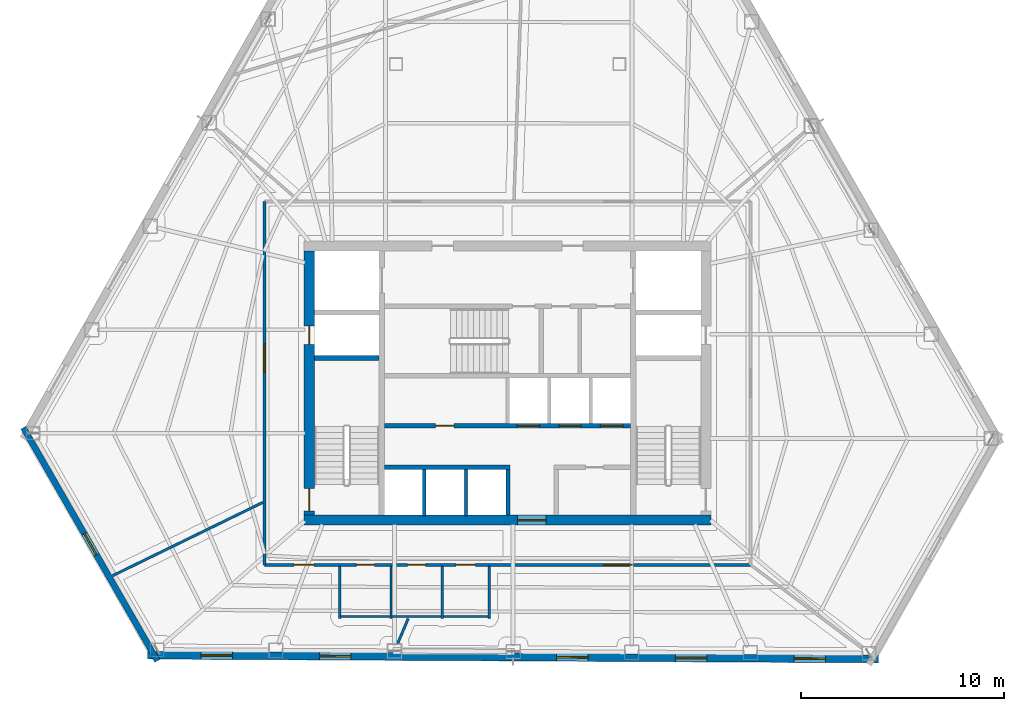
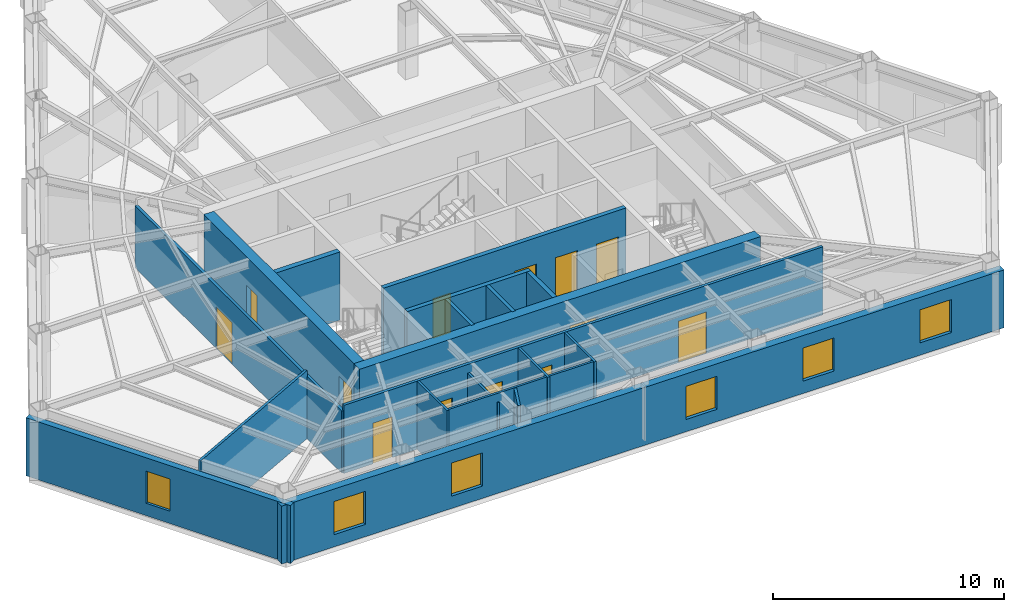
# One storey, part 7 of 12: 19 walls, 13 doors, 6 windows, 19 openings.
"""IFC4 building model written with IfcOpenShell, lengths in metres."""

from ifc_helpers import new_model, si_unit, direction, frame, frame_2d, origin, place, context, subcontext, project, spatial, rectangle, extrude, material, layer, layer_set, type_object, element, fill, save


model = new_model("IFC4")

# Units and contexts
model_context = context("Model", 3, precision=1e-05, world=origin(), true_north=direction((0.0, 1.0)))
body_context = subcontext(model_context, "Body", "Model", "MODEL_VIEW")
ifc_project = project(units=[si_unit("LENGTHUNIT", "METRE"), si_unit("AREAUNIT", "SQUARE_METRE"), si_unit("VOLUMEUNIT", "CUBIC_METRE"), si_unit("PLANEANGLEUNIT", "RADIAN"), si_unit("MASSUNIT", "GRAM", prefix="KILO")], contexts=[model_context])

# Site, building, storey
site_placement = place(None, origin())
site = spatial("IfcSite", under=ifc_project, at=site_placement, CompositionType="ELEMENT")
building_placement = place(site_placement, origin())
building = spatial("IfcBuilding", under=site, at=building_placement, Name="Kavelnor Concourse Tower", CompositionType="ELEMENT")
storey_placement = place(building_placement, frame((0.0, 0.0, 104.75)))
storey = spatial("IfcBuildingStorey", under=building, at=storey_placement, Name="L26", CompositionType="ELEMENT", Elevation=104.75)

# Wall, opening, door
ifc_material_1 = material(Name="Concrete C60/75", Category="concrete")
ifc_layer_1 = layer(ifc_material_1, 0.5, Name="Concrete C60/75")
ifc_layer_set_1 = layer_set([ifc_layer_1], Name="Concrete C60/75")
wall_type_1 = type_object("IfcWallType", Name="WL-CORE-Z2-500", PredefinedType="SOLIDWALL", material=ifc_layer_set_1)
wall_1_placement = place(storey_placement, frame((27.97998046875, 9.35009765625, 0.0), z_axis=(0.0, 0.0, 1.0), x_axis=(1.0, 0.0, 0.0)))
wall_1 = element("IfcWall", 1, at=wall_1_placement, inside=storey, type_object=wall_type_1, Name="L26 Central Core South Shear Wall", PredefinedType="SOLIDWALL", context=body_context, shape_type="SweptSolid", body=[
    extrude(rectangle(XDim=20.0400390625, YDim=0.5, at=frame_2d((10.02001953125, 0.0))), origin(), (0.0, 0.0, 1.0), 3.60009765625),
])
opening_1_placement = place(wall_1_placement, frame((10.52001953125, 0.0, 0.0)))
opening_1 = element("IfcOpeningElement", 2, at=opening_1_placement, cuts=wall_1, Name="Opening SD-140", PredefinedType="OPENING", context=body_context, shape_type="SweptSolid", body=[
    extrude(rectangle(XDim=1.39990234375, YDim=2.199951171875, at=frame_2d((0.699951171875, 1.10009765625))), frame((0.0, 0.260009765625, 0.0), z_axis=(0.0, -1.0, 0.0), x_axis=(1.0, 0.0, 0.0)), (0.0, 0.0, 1.0), 0.52001953125),
])
ifc_material_2 = material(Name="Solid-core hardwood timber", Category="wood")
door_type_1 = type_object("IfcDoorType", Name="DR-SUITE-ENTRY-1400", OperationType="NOTDEFINED", PredefinedType="DOOR", material=ifc_material_2)
door_1_placement = place(opening_1_placement, origin())
door_1 = element("IfcDoor", 3, at=door_1_placement, inside=storey, type_object=door_type_1, Name="L26 Passenger Lift Lobby Entry Door", OperationType="SINGLE_SWING_LEFT", OverallHeight=2.199951171875, OverallWidth=1.39990234375, PredefinedType="DOOR", context=body_context, shape_type="SweptSolid", body=[
    extrude(rectangle(XDim=1.39990234375, YDim=2.199951171875, at=frame_2d((0.699951171875, 1.10009765625))), frame((0.0, 0.02490234375, 0.0), z_axis=(0.0, -1.0, 0.0), x_axis=(1.0, 0.0, 0.0)), (0.0, 0.0, 1.0), 0.050048828125),
])
fill(opening_1, door_1)

# Wall, openings, doors
wall_2_placement = place(storey_placement, frame((28.22998046875, 9.60009765625, 0.0), z_axis=(0.0, 0.0, 1.0), x_axis=(0.0, 1.0, 0.0)))
wall_2 = element("IfcWall", 4, at=wall_2_placement, inside=storey, type_object=wall_type_1, Name="L26 Central Core West Shear Wall", PredefinedType="SOLIDWALL", context=body_context, shape_type="SweptSolid", body=[
    extrude(rectangle(XDim=13.0, YDim=0.5, at=frame_2d((6.5, 0.0))), origin(), (0.0, 0.0, 1.0), 3.60009765625),
])
opening_2_placement = place(wall_2_placement, frame((0.199951171875, 0.0, 0.0)))
opening_2 = element("IfcOpeningElement", 5, at=opening_2_placement, cuts=wall_2, Name="Opening FD-110", PredefinedType="OPENING", context=body_context, shape_type="SweptSolid", body=[
    extrude(rectangle(XDim=1.10009765625, YDim=2.14990234375, at=frame_2d((0.550048828125, 1.074951171875))), frame((0.0, 0.260009765625, 0.0), z_axis=(0.0, -1.0, 0.0), x_axis=(1.0, 0.0, 0.0)), (0.0, 0.0, 1.0), 0.52001953125),
])
opening_3_placement = place(wall_2_placement, frame((8.39990234375, 0.0, 0.0)))
opening_3 = element("IfcOpeningElement", 6, at=opening_3_placement, cuts=wall_2, Name="Opening FD-090", PredefinedType="OPENING", context=body_context, shape_type="SweptSolid", body=[
    extrude(rectangle(XDim=0.89990234375, YDim=2.10009765625, at=frame_2d((0.449951171875, 1.050048828125))), frame((0.0, 0.260009765625, 0.0), z_axis=(0.0, -1.0, 0.0), x_axis=(1.0, 0.0, 0.0)), (0.0, 0.0, 1.0), 0.52001953125),
])
ifc_material_3 = material(Name="Steel Grade 350", Category="steel")
door_type_2 = type_object("IfcDoorType", Name="DR-RISER-FIRE-900", OperationType="NOTDEFINED", PredefinedType="DOOR", material=ifc_material_3)
door_2_placement = place(opening_3_placement, origin())
door_2 = element("IfcDoor", 7, at=door_2_placement, inside=storey, type_object=door_type_2, Name="L26 West Riser Access Door", OperationType="SINGLE_SWING_RIGHT", OverallHeight=2.10009765625, OverallWidth=0.89990234375, PredefinedType="DOOR", context=body_context, shape_type="SweptSolid", body=[
    extrude(rectangle(XDim=0.89990234375, YDim=2.10009765625, at=frame_2d((0.449951171875, 1.050048828125))), frame((0.0, 0.02490234375, 0.0), z_axis=(0.0, -1.0, 0.0), x_axis=(1.0, 0.0, 0.0)), (0.0, 0.0, 1.0), 0.050048828125),
])
fill(opening_3, door_2)
door_type_3 = type_object("IfcDoorType", Name="DR-STAIR-FIRE-1100", OperationType="NOTDEFINED", PredefinedType="DOOR", material=ifc_material_3)
door_3_placement = place(opening_2_placement, origin())
door_3 = element("IfcDoor", 8, at=door_3_placement, inside=storey, type_object=door_type_3, Name="L26 Stair ST1 Fire Door", OperationType="SINGLE_SWING_LEFT", OverallHeight=2.14990234375, OverallWidth=1.10009765625, PredefinedType="DOOR", context=body_context, shape_type="SweptSolid", body=[
    extrude(rectangle(XDim=1.10009765625, YDim=2.14990234375, at=frame_2d((0.550048828125, 1.074951171875))), frame((0.0, 0.02490234375, 0.0), z_axis=(0.0, -1.0, 0.0), x_axis=(1.0, 0.0, 0.0)), (0.0, 0.0, 1.0), 0.050048828125),
])
fill(opening_2, door_3)

# Wall, opening, window
ifc_material_4 = material(Name="Buff ironspot clay face brick masonry", Category="masonry")
ifc_layer_2 = layer(ifc_material_4, 0.300048828125, Name="Buff ironspot clay face brick masonry")
ifc_layer_set_2 = layer_set([ifc_layer_2], Name="Buff ironspot clay face brick masonry")
wall_type_2 = type_object("IfcWallType", Name="WL-EXT-BUFF-BRICK-FOLD-300", PredefinedType="STANDARD", material=ifc_layer_set_2)
wall_3_placement = place(storey_placement, frame((20.75439453125, 2.41943359375, 0.0), z_axis=(0.0, 0.0, 1.0), x_axis=(-0.49837034912, 0.866964240969, 0.0)))
wall_3 = element("IfcWall", 9, at=wall_3_placement, inside=storey, type_object=wall_type_2, Name="L26 Exterior Brick Facade Wall E2", PredefinedType="STANDARD", context=body_context, shape_type="SweptSolid", body=[
    extrude(rectangle(XDim=13.245849609375, YDim=0.300048828125, at=frame_2d((6.623046875, 0.0))), origin(), (0.0, 0.0, 1.0), 3.05908203125),
])
opening_4_placement = place(wall_3_placement, frame((6.02294921875, 0.0, 0.64990234375)))
opening_4 = element("IfcOpeningElement", 10, at=opening_4_placement, cuts=wall_3, Name="Opening W-05", PredefinedType="OPENING", context=body_context, shape_type="SweptSolid", body=[
    extrude(rectangle(XDim=1.199951171875, YDim=1.699951171875, at=frame_2d((0.60009765625, 0.85009765625))), frame((0.0, 0.16015625, 0.0), z_axis=(0.0, -1.0, 0.0), x_axis=(1.0, 0.0, 0.0)), (0.0, 0.0, 1.0), 0.320068359375),
])
ifc_material_5 = material(Name="Double low-E argon insulated glazing", Category="glass")
window_type_1 = type_object("IfcWindowType", Name="WIN-FOLD-1200", PartitioningType="SINGLE_PANEL", PredefinedType="WINDOW", material=ifc_material_5)
window_1_placement = place(opening_4_placement, origin())
window_1 = element("IfcWindow", 11, at=window_1_placement, inside=storey, type_object=window_type_1, Name="L26 Chamfer-Fold Facet Window C1", OverallHeight=1.699951171875, OverallWidth=1.199951171875, PartitioningType="SINGLE_PANEL", PredefinedType="WINDOW", context=body_context, shape_type="SweptSolid", body=[
    extrude(rectangle(XDim=1.199951171875, YDim=1.699951171875, at=frame_2d((0.60009765625, 0.85009765625))), frame((0.0, 0.030029296875, 0.0), z_axis=(0.0, -1.0, 0.0), x_axis=(1.0, 0.0, 0.0)), (0.0, 0.0, 1.0), 0.06005859375),
])
fill(opening_4, window_1)

# Wall, openings, windows
ifc_material_6 = material(Name="Red-ochre clay face brick masonry", Category="masonry")
ifc_layer_3 = layer(ifc_material_6, 0.3798828125, Name="Red-ochre clay face brick masonry")
ifc_layer_set_3 = layer_set([ifc_layer_3], Name="Red-ochre clay face brick masonry")
wall_type_3 = type_object("IfcWallType", Name="WL-EXT-RED-BRICK-PIER-380", PredefinedType="STANDARD", material=ifc_layer_set_3)
wall_4_placement = place(storey_placement, frame((56.27685546875, 2.512451171875, 0.0), z_axis=(0.0, 0.0, 1.0), x_axis=(-0.999986545033, 0.005187461141, 0.0)))
wall_4 = element("IfcWall", 12, at=wall_4_placement, inside=storey, type_object=wall_type_3, Name="L26 Exterior Brick Facade Wall E3", PredefinedType="STANDARD", context=body_context, shape_type="SweptSolid", body=[
    extrude(rectangle(XDim=36.003662109375, YDim=0.3798828125, at=frame_2d((18.001953125, 0.0))), origin(), (0.0, 0.0, 1.0), 3.05908203125),
])
opening_5_placement = place(wall_4_placement, frame((31.83203125, 0.0, 0.64990234375)))
opening_5 = element("IfcOpeningElement", 13, at=opening_5_placement, cuts=wall_4, Name="Opening W-02", PredefinedType="OPENING", context=body_context, shape_type="SweptSolid", body=[
    extrude(rectangle(XDim=1.550048828125, YDim=1.75, at=frame_2d((0.77490234375, 0.875))), frame((0.0, 0.199951171875, 0.0), z_axis=(0.0, -1.0, 0.0), x_axis=(1.0, 0.0, 0.0)), (0.0, 0.0, 1.0), 0.39990234375),
])
opening_6_placement = place(wall_4_placement, frame((25.990966796875, 0.0, 0.64990234375)))
opening_6 = element("IfcOpeningElement", 14, at=opening_6_placement, cuts=wall_4, Name="Opening W-02", PredefinedType="OPENING", context=body_context, shape_type="SweptSolid", body=[
    extrude(rectangle(XDim=1.550048828125, YDim=1.75, at=frame_2d((0.77490234375, 0.875))), frame((0.0, 0.199951171875, 0.0), z_axis=(0.0, -1.0, 0.0), x_axis=(1.0, 0.0, 0.0)), (0.0, 0.0, 1.0), 0.39990234375),
])
opening_7_placement = place(wall_4_placement, frame((14.308837890625, 0.0, 0.64990234375)))
opening_7 = element("IfcOpeningElement", 15, at=opening_7_placement, cuts=wall_4, Name="Opening W-02", PredefinedType="OPENING", context=body_context, shape_type="SweptSolid", body=[
    extrude(rectangle(XDim=1.550048828125, YDim=1.75, at=frame_2d((0.77490234375, 0.875))), frame((0.0, 0.199951171875, 0.0), z_axis=(0.0, -1.0, 0.0), x_axis=(1.0, 0.0, 0.0)), (0.0, 0.0, 1.0), 0.39990234375),
])
opening_8_placement = place(wall_4_placement, frame((8.4677734375, 0.0, 0.64990234375)))
opening_8 = element("IfcOpeningElement", 16, at=opening_8_placement, cuts=wall_4, Name="Opening W-02", PredefinedType="OPENING", context=body_context, shape_type="SweptSolid", body=[
    extrude(rectangle(XDim=1.550048828125, YDim=1.75, at=frame_2d((0.77490234375, 0.875))), frame((0.0, 0.199951171875, 0.0), z_axis=(0.0, -1.0, 0.0), x_axis=(1.0, 0.0, 0.0)), (0.0, 0.0, 1.0), 0.39990234375),
])
opening_9_placement = place(wall_4_placement, frame((2.626708984375, 0.0, 0.64990234375)))
opening_9 = element("IfcOpeningElement", 17, at=opening_9_placement, cuts=wall_4, Name="Opening W-02", PredefinedType="OPENING", context=body_context, shape_type="SweptSolid", body=[
    extrude(rectangle(XDim=1.550048828125, YDim=1.75, at=frame_2d((0.77490234375, 0.875))), frame((0.0, 0.199951171875, 0.0), z_axis=(0.0, -1.0, 0.0), x_axis=(1.0, 0.0, 0.0)), (0.0, 0.0, 1.0), 0.39990234375),
])
window_type_2 = type_object("IfcWindowType", Name="WIN-PIER-Z2-1650", PartitioningType="SINGLE_PANEL", PredefinedType="WINDOW", material=ifc_material_5)
window_2_placement = place(opening_5_placement, origin())
window_2 = element("IfcWindow", 18, at=window_2_placement, inside=storey, type_object=window_type_2, Name="L26 Deep-Set Brick Pier Window F1-B0", OverallHeight=1.75, OverallWidth=1.550048828125, PartitioningType="SINGLE_PANEL", PredefinedType="WINDOW", context=body_context, shape_type="SweptSolid", body=[
    extrude(rectangle(XDim=1.550048828125, YDim=1.75, at=frame_2d((0.77490234375, 0.875))), frame((0.0, 0.030029296875, 0.0), z_axis=(0.0, -1.0, 0.0), x_axis=(1.0, 0.0, 0.0)), (0.0, 0.0, 1.0), 0.06005859375),
])
fill(opening_5, window_2)
window_3_placement = place(opening_6_placement, origin())
window_3 = element("IfcWindow", 19, at=window_3_placement, inside=storey, type_object=window_type_2, Name="L26 Deep-Set Brick Pier Window F1-B1", OverallHeight=1.75, OverallWidth=1.550048828125, PartitioningType="SINGLE_PANEL", PredefinedType="WINDOW", context=body_context, shape_type="SweptSolid", body=[
    extrude(rectangle(XDim=1.550048828125, YDim=1.75, at=frame_2d((0.77490234375, 0.875))), frame((0.0, 0.030029296875, 0.0), z_axis=(0.0, -1.0, 0.0), x_axis=(1.0, 0.0, 0.0)), (0.0, 0.0, 1.0), 0.06005859375),
])
fill(opening_6, window_3)
window_4_placement = place(opening_7_placement, origin())
window_4 = element("IfcWindow", 20, at=window_4_placement, inside=storey, type_object=window_type_2, Name="L26 Deep-Set Brick Pier Window F1-B3", OverallHeight=1.75, OverallWidth=1.550048828125, PartitioningType="SINGLE_PANEL", PredefinedType="WINDOW", context=body_context, shape_type="SweptSolid", body=[
    extrude(rectangle(XDim=1.550048828125, YDim=1.75, at=frame_2d((0.77490234375, 0.875))), frame((0.0, 0.030029296875, 0.0), z_axis=(0.0, -1.0, 0.0), x_axis=(1.0, 0.0, 0.0)), (0.0, 0.0, 1.0), 0.06005859375),
])
fill(opening_7, window_4)
window_5_placement = place(opening_8_placement, origin())
window_5 = element("IfcWindow", 21, at=window_5_placement, inside=storey, type_object=window_type_2, Name="L26 Deep-Set Brick Pier Window F1-B4", OverallHeight=1.75, OverallWidth=1.550048828125, PartitioningType="SINGLE_PANEL", PredefinedType="WINDOW", context=body_context, shape_type="SweptSolid", body=[
    extrude(rectangle(XDim=1.550048828125, YDim=1.75, at=frame_2d((0.77490234375, 0.875))), frame((0.0, 0.030029296875, 0.0), z_axis=(0.0, -1.0, 0.0), x_axis=(1.0, 0.0, 0.0)), (0.0, 0.0, 1.0), 0.06005859375),
])
fill(opening_8, window_5)
window_6_placement = place(opening_9_placement, origin())
window_6 = element("IfcWindow", 22, at=window_6_placement, inside=storey, type_object=window_type_2, Name="L26 Deep-Set Brick Pier Window F1-B5", OverallHeight=1.75, OverallWidth=1.550048828125, PartitioningType="SINGLE_PANEL", PredefinedType="WINDOW", context=body_context, shape_type="SweptSolid", body=[
    extrude(rectangle(XDim=1.550048828125, YDim=1.75, at=frame_2d((0.77490234375, 0.875))), frame((0.0, 0.030029296875, 0.0), z_axis=(0.0, -1.0, 0.0), x_axis=(1.0, 0.0, 0.0)), (0.0, 0.0, 1.0), 0.06005859375),
])
fill(opening_9, window_6)

# Wall, opening, door
ifc_material_7 = material(Name="Gypsum plasterboard on light-gauge steel studs", Category="steel")
ifc_layer_4 = layer(ifc_material_7, 0.14501953125, Name="Gypsum plasterboard on light-gauge steel studs")
ifc_layer_set_4 = layer_set([ifc_layer_4], Name="Gypsum plasterboard on light-gauge steel studs")
wall_type_4 = type_object("IfcWallType", Name="WL-INT-CORR-145", PredefinedType="PARTITIONING", material=ifc_layer_set_4)
wall_5_placement = place(storey_placement, frame((26.030029296875, 25.050048828125, 0.0), z_axis=(0.0, 0.0, 1.0), x_axis=(0.0, -1.0, 0.0)))
wall_5 = element("IfcWall", 23, at=wall_5_placement, inside=storey, type_object=wall_type_4, Name="L26 Corridor Wall WL-L26-CR-03", PredefinedType="PARTITIONING", context=body_context, shape_type="SweptSolid", body=[
    extrude(rectangle(XDim=17.900146484375, YDim=0.14501953125, at=frame_2d((8.9501953125, 0.0))), origin(), (0.0, 0.0, 1.0), 3.2880859375),
])
opening_10_placement = place(wall_5_placement, frame((7.01611328125, 0.0, 0.0)))
opening_10 = element("IfcOpeningElement", 24, at=opening_10_placement, cuts=wall_5, Name="Opening SD-140", PredefinedType="OPENING", context=body_context, shape_type="SweptSolid", body=[
    extrude(rectangle(XDim=1.39990234375, YDim=2.199951171875, at=frame_2d((0.699951171875, 1.10009765625))), frame((0.0, 0.08251953125, 0.0), z_axis=(0.0, -1.0, 0.0), x_axis=(1.0, 0.0, 0.0)), (0.0, 0.0, 1.0), 0.1650390625),
])
door_4_placement = place(opening_10_placement, origin())
door_4 = element("IfcDoor", 25, at=door_4_placement, inside=storey, type_object=door_type_1, Name="L26 Architectural Design Studio 04 Door", OperationType="SINGLE_SWING_LEFT", OverallHeight=2.199951171875, OverallWidth=1.39990234375, PredefinedType="DOOR", context=body_context, shape_type="SweptSolid", body=[
    extrude(rectangle(XDim=1.39990234375, YDim=2.199951171875, at=frame_2d((0.699951171875, 1.10009765625))), frame((0.0, 0.02490234375, 0.0), z_axis=(0.0, -1.0, 0.0), x_axis=(1.0, 0.0, 0.0)), (0.0, 0.0, 1.0), 0.050048828125),
])
fill(opening_10, door_4)

# Wall, openings, doors
wall_6_placement = place(storey_placement, frame((26.030029296875, 7.14990234375, 0.0), z_axis=(0.0, 0.0, 1.0), x_axis=(1.0, 0.0, 0.0)))
wall_6 = element("IfcWall", 26, at=wall_6_placement, inside=storey, type_object=wall_type_4, Name="L26 Corridor Wall WL-L26-CR-04", PredefinedType="PARTITIONING", context=body_context, shape_type="SweptSolid", body=[
    extrude(rectangle(XDim=23.93994140625, YDim=0.14501953125, at=frame_2d((11.969970703125, 0.0))), origin(), (0.0, 0.0, 1.0), 3.60009765625),
])
opening_11_placement = place(wall_6_placement, frame((4.530029296875, 0.0, 0.0)))
opening_11 = element("IfcOpeningElement", 27, at=opening_11_placement, cuts=wall_6, Name="Opening WD-088", PredefinedType="OPENING", context=body_context, shape_type="SweptSolid", body=[
    extrude(rectangle(XDim=0.8798828125, YDim=2.10009765625, at=frame_2d((0.43994140625, 1.050048828125))), frame((0.0, 0.08251953125, 0.0), z_axis=(0.0, -1.0, 0.0), x_axis=(1.0, 0.0, 0.0)), (0.0, 0.0, 1.0), 0.1650390625),
])
opening_12_placement = place(wall_6_placement, frame((7.050048828125, 0.0, 0.0)))
opening_12 = element("IfcOpeningElement", 28, at=opening_12_placement, cuts=wall_6, Name="Opening WD-088", PredefinedType="OPENING", context=body_context, shape_type="SweptSolid", body=[
    extrude(rectangle(XDim=0.8798828125, YDim=2.10009765625, at=frame_2d((0.43994140625, 1.050048828125))), frame((0.0, 0.08251953125, 0.0), z_axis=(0.0, -1.0, 0.0), x_axis=(1.0, 0.0, 0.0)), (0.0, 0.0, 1.0), 0.1650390625),
])
opening_13_placement = place(wall_6_placement, frame((9.429931640625, 0.0, 0.0)))
opening_13 = element("IfcOpeningElement", 29, at=opening_13_placement, cuts=wall_6, Name="Opening WD-096", PredefinedType="OPENING", context=body_context, shape_type="SweptSolid", body=[
    extrude(rectangle(XDim=0.9599609375, YDim=2.10009765625, at=frame_2d((0.47998046875, 1.050048828125))), frame((0.0, 0.08251953125, 0.0), z_axis=(0.0, -1.0, 0.0), x_axis=(1.0, 0.0, 0.0)), (0.0, 0.0, 1.0), 0.1650390625),
])
opening_14_placement = place(wall_6_placement, frame((1.45556640625, 0.0, 0.0)))
opening_14 = element("IfcOpeningElement", 30, at=opening_14_placement, cuts=wall_6, Name="Opening OD-098", PredefinedType="OPENING", context=body_context, shape_type="SweptSolid", body=[
    extrude(rectangle(XDim=0.97998046875, YDim=2.14990234375, at=frame_2d((0.489990234375, 1.074951171875))), frame((0.0, 0.08251953125, 0.0), z_axis=(0.0, -1.0, 0.0), x_axis=(1.0, 0.0, 0.0)), (0.0, 0.0, 1.0), 0.1650390625),
])
opening_15_placement = place(wall_6_placement, frame((16.71435546875, 0.0, 0.0)))
opening_15 = element("IfcOpeningElement", 31, at=opening_15_placement, cuts=wall_6, Name="Opening SD-140", PredefinedType="OPENING", context=body_context, shape_type="SweptSolid", body=[
    extrude(rectangle(XDim=1.39990234375, YDim=2.199951171875, at=frame_2d((0.699951171875, 1.10009765625))), frame((0.0, 0.08251953125, 0.0), z_axis=(0.0, -1.0, 0.0), x_axis=(1.0, 0.0, 0.0)), (0.0, 0.0, 1.0), 0.1650390625),
])
door_type_4 = type_object("IfcDoorType", Name="DR-OFFICE-980", OperationType="NOTDEFINED", PredefinedType="DOOR", material=ifc_material_2)
door_5_placement = place(opening_14_placement, origin())
door_5 = element("IfcDoor", 32, at=door_5_placement, inside=storey, type_object=door_type_4, Name="L26 Architectural Design Studio 05 Door", OperationType="SINGLE_SWING_RIGHT", OverallHeight=2.14990234375, OverallWidth=0.97998046875, PredefinedType="DOOR", context=body_context, shape_type="SweptSolid", body=[
    extrude(rectangle(XDim=0.97998046875, YDim=2.14990234375, at=frame_2d((0.489990234375, 1.074951171875))), frame((0.0, 0.02490234375, 0.0), z_axis=(0.0, -1.0, 0.0), x_axis=(1.0, 0.0, 0.0)), (0.0, 0.0, 1.0), 0.050048828125),
])
fill(opening_14, door_5)
door_6_placement = place(opening_15_placement, origin())
door_6 = element("IfcDoor", 33, at=door_6_placement, inside=storey, type_object=door_type_1, Name="L26 Architectural Design Studio 06 Door", OperationType="SINGLE_SWING_LEFT", OverallHeight=2.199951171875, OverallWidth=1.39990234375, PredefinedType="DOOR", context=body_context, shape_type="SweptSolid", body=[
    extrude(rectangle(XDim=1.39990234375, YDim=2.199951171875, at=frame_2d((0.699951171875, 1.10009765625))), frame((0.0, 0.02490234375, 0.0), z_axis=(0.0, -1.0, 0.0), x_axis=(1.0, 0.0, 0.0)), (0.0, 0.0, 1.0), 0.050048828125),
])
fill(opening_15, door_6)
door_type_5 = type_object("IfcDoorType", Name="DR-WC-ACC-960", OperationType="NOTDEFINED", PredefinedType="DOOR", material=ifc_material_2)
door_7_placement = place(opening_13_placement, origin())
door_7 = element("IfcDoor", 34, at=door_7_placement, inside=storey, type_object=door_type_5, Name="L26 Accessible WC Door", OperationType="SINGLE_SWING_LEFT", OverallHeight=2.10009765625, OverallWidth=0.9599609375, PredefinedType="DOOR", context=body_context, shape_type="SweptSolid", body=[
    extrude(rectangle(XDim=0.9599609375, YDim=2.10009765625, at=frame_2d((0.47998046875, 1.050048828125))), frame((0.0, 0.02490234375, 0.0), z_axis=(0.0, -1.0, 0.0), x_axis=(1.0, 0.0, 0.0)), (0.0, 0.0, 1.0), 0.050048828125),
])
fill(opening_13, door_7)
door_type_6 = type_object("IfcDoorType", Name="DR-WC-STD-880", OperationType="NOTDEFINED", PredefinedType="DOOR", material=ifc_material_2)
door_8_placement = place(opening_11_placement, origin())
door_8 = element("IfcDoor", 35, at=door_8_placement, inside=storey, type_object=door_type_6, Name="L26 Male WC Door", OperationType="SINGLE_SWING_LEFT", OverallHeight=2.10009765625, OverallWidth=0.8798828125, PredefinedType="DOOR", context=body_context, shape_type="SweptSolid", body=[
    extrude(rectangle(XDim=0.8798828125, YDim=2.10009765625, at=frame_2d((0.43994140625, 1.050048828125))), frame((0.0, 0.02490234375, 0.0), z_axis=(0.0, -1.0, 0.0), x_axis=(1.0, 0.0, 0.0)), (0.0, 0.0, 1.0), 0.050048828125),
])
fill(opening_11, door_8)
door_9_placement = place(opening_12_placement, origin())
door_9 = element("IfcDoor", 36, at=door_9_placement, inside=storey, type_object=door_type_6, Name="L26 Female WC Door", OperationType="SINGLE_SWING_RIGHT", OverallHeight=2.10009765625, OverallWidth=0.8798828125, PredefinedType="DOOR", context=body_context, shape_type="SweptSolid", body=[
    extrude(rectangle(XDim=0.8798828125, YDim=2.10009765625, at=frame_2d((0.43994140625, 1.050048828125))), frame((0.0, 0.02490234375, 0.0), z_axis=(0.0, -1.0, 0.0), x_axis=(1.0, 0.0, 0.0)), (0.0, 0.0, 1.0), 0.050048828125),
])
fill(opening_12, door_9)

# Walls
ifc_layer_5 = layer(ifc_material_7, 0.1650390625, Name="Gypsum plasterboard on light-gauge steel studs")
ifc_layer_set_5 = layer_set([ifc_layer_5], Name="Gypsum plasterboard on light-gauge steel studs")
wall_type_5 = type_object("IfcWallType", Name="WL-INT-FIRE-165", PredefinedType="PARTITIONING", material=ifc_layer_set_5)
for number, where, z_axis, x_axis, name in (
    (37, (33.89990234375, 9.550048828125, 0.0), (0.0, 0.0, 1.0), (0.0, 1.0, 0.0), "L26 Lift Shaft Divider LP7"),
    (38, (35.949951171875, 9.550048828125, 0.0), (0.0, 0.0, 1.0), (0.0, 1.0, 0.0), "L26 Lift Shaft Divider LP8"),
):
    element("IfcWall", number, at=place(storey_placement, frame(where, z_axis=z_axis, x_axis=x_axis)), inside=storey, type_object=wall_type_5, Name=name, PredefinedType="PARTITIONING", context=body_context, shape_type="SweptSolid", body=[
        extrude(rectangle(XDim=2.2900390625, YDim=0.1650390625, at=frame_2d((1.14501953125, 0.0))), origin(), (0.0, 0.0, 1.0), 3.60009765625),
    ])
ifc_layer_6 = layer(ifc_material_7, 0.125, Name="Gypsum plasterboard on light-gauge steel studs")
ifc_layer_set_6 = layer_set([ifc_layer_6], Name="Gypsum plasterboard on light-gauge steel studs")
wall_type_6 = type_object("IfcWallType", Name="WL-INT-SUITE-125", PredefinedType="PARTITIONING", material=ifc_layer_set_6)
wall_7_placement = place(storey_placement, frame((25.949462890625, 10.22265625, 0.0), z_axis=(0.0, 0.0, 1.0), x_axis=(-0.898788385453, -0.438382753054, 0.0)))
element("IfcWall", 39, at=wall_7_placement, inside=storey, type_object=wall_type_6, Name="L26 Radial Suite Partition 04", PredefinedType="PARTITIONING", context=body_context, shape_type="SweptSolid", body=[
    extrude(rectangle(XDim=8.23681640625, YDim=0.125, at=frame_2d((4.118408203125, 0.0))), origin(), (0.0, 0.0, 1.0), 3.60009765625),
])
wall_8_placement = place(storey_placement, frame((33.105712890625, 4.5, 0.0), z_axis=(0.0, 0.0, 1.0), x_axis=(-0.388819762507, -0.921313840276, 0.0)))
element("IfcWall", 40, at=wall_8_placement, inside=storey, type_object=wall_type_6, Name="L26 Radial Suite Partition 05", PredefinedType="PARTITIONING", context=body_context, shape_type="SweptSolid", body=[
    extrude(rectangle(XDim=1.33056640625, YDim=0.125, at=frame_2d((0.665283203125, 0.0))), origin(), (0.0, 0.0, 1.0), 3.60009765625),
])
ifc_layer_7 = layer(ifc_material_7, 0.110107421875, Name="Gypsum plasterboard on light-gauge steel studs")
ifc_layer_set_7 = layer_set([ifc_layer_7], Name="Gypsum plasterboard on light-gauge steel studs")
wall_type_7 = type_object("IfcWallType", Name="WL-INT-WC-110", PredefinedType="PLUMBINGWALL", material=ifc_layer_set_7)
wall_9_placement = place(storey_placement, frame((29.739990234375, 4.5, 0.0), z_axis=(0.0, 0.0, 1.0), x_axis=(0.0, 1.0, 0.0)))
element("IfcWall", 41, at=wall_9_placement, inside=storey, type_object=wall_type_7, Name="L26 Sanitary Partition WL-L26-WC-W", PredefinedType="PLUMBINGWALL", context=body_context, shape_type="SweptSolid", body=[
    extrude(rectangle(XDim=2.580078125, YDim=0.110107421875, at=frame_2d((1.2900390625, 0.0))), origin(), (0.0, 0.0, 1.0), 3.60009765625),
])
wall_10_placement = place(storey_placement, frame((32.260009765625, 4.5, 0.0), z_axis=(0.0, 0.0, 1.0), x_axis=(0.0, 1.0, 0.0)))
element("IfcWall", 42, at=wall_10_placement, inside=storey, type_object=wall_type_7, Name="L26 Sanitary Partition WL-L26-WC-D1", PredefinedType="PLUMBINGWALL", context=body_context, shape_type="SweptSolid", body=[
    extrude(rectangle(XDim=2.580078125, YDim=0.110107421875, at=frame_2d((1.2900390625, 0.0))), origin(), (0.0, 0.0, 1.0), 3.14111328125),
])
for number, where, z_axis, x_axis, name in (
    (43, (34.780029296875, 4.5, 0.0), (0.0, 0.0, 1.0), (0.0, 1.0, 0.0), "L26 Sanitary Partition WL-L26-WC-D2"),
    (44, (37.10009765625, 4.5, 0.0), (0.0, 0.0, 1.0), (0.0, 1.0, 0.0), "L26 Sanitary Partition WL-L26-WC-E"),
):
    element("IfcWall", number, at=place(storey_placement, frame(where, z_axis=z_axis, x_axis=x_axis)), inside=storey, type_object=wall_type_7, Name=name, PredefinedType="PLUMBINGWALL", context=body_context, shape_type="SweptSolid", body=[
        extrude(rectangle(XDim=2.580078125, YDim=0.110107421875, at=frame_2d((1.2900390625, 0.0))), origin(), (0.0, 0.0, 1.0), 3.60009765625),
    ])
wall_11_placement = place(storey_placement, frame((29.68994140625, 4.60009765625, 0.0), z_axis=(0.0, 0.0, 1.0), x_axis=(1.0, 0.0, 0.0)))
element("IfcWall", 45, at=wall_11_placement, inside=storey, type_object=wall_type_7, Name="L26 Sanitary Partition WL-L26-WC-S", PredefinedType="PLUMBINGWALL", context=body_context, shape_type="SweptSolid", body=[
    extrude(rectangle(XDim=7.4599609375, YDim=0.110107421875, at=frame_2d((3.72998046875, 0.0))), origin(), (0.0, 0.0, 1.0), 3.60009765625),
])

# Wall, openings, doors
ifc_material_8 = material(Name="Concrete C50/60", Category="concrete")
ifc_layer_8 = layer(ifc_material_8, 0.219970703125, Name="Concrete C50/60")
ifc_layer_set_8 = layer_set([ifc_layer_8], Name="Concrete C50/60")
wall_type_8 = type_object("IfcWallType", Name="WL-SHAFT-220", PredefinedType="SOLIDWALL", material=ifc_layer_set_8)
wall_12_placement = place(storey_placement, frame((31.93994140625, 13.989990234375, 0.0), z_axis=(0.0, 0.0, 1.0), x_axis=(1.0, 0.0, 0.0)))
wall_12 = element("IfcWall", 46, at=wall_12_placement, inside=storey, type_object=wall_type_8, Name="L26 North Lift Row Shaft Wall", PredefinedType="SOLIDWALL", context=body_context, shape_type="SweptSolid", body=[
    extrude(rectangle(XDim=12.1201171875, YDim=0.219970703125, at=frame_2d((6.06005859375, 0.0))), origin(), (0.0, 0.0, 1.0), 3.60009765625),
])
opening_16_placement = place(wall_12_placement, frame((2.510009765625, 0.0, 0.0)))
opening_16 = element("IfcOpeningElement", 47, at=opening_16_placement, cuts=wall_12, Name="Opening FD-090", PredefinedType="OPENING", context=body_context, shape_type="SweptSolid", body=[
    extrude(rectangle(XDim=0.89990234375, YDim=2.10009765625, at=frame_2d((0.449951171875, 1.050048828125))), frame((0.0, 0.1201171875, 0.0), z_axis=(0.0, -1.0, 0.0), x_axis=(1.0, 0.0, 0.0)), (0.0, 0.0, 1.0), 0.239990234375),
])
opening_17_placement = place(wall_12_placement, frame((6.534912109375, 0.0, 0.0)))
opening_17 = element("IfcOpeningElement", 48, at=opening_17_placement, cuts=wall_12, Name="Opening LD-110", PredefinedType="OPENING", context=body_context, shape_type="SweptSolid", body=[
    extrude(rectangle(XDim=1.10009765625, YDim=2.199951171875, at=frame_2d((0.550048828125, 1.10009765625))), frame((0.0, 0.1201171875, 0.0), z_axis=(0.0, -1.0, 0.0), x_axis=(1.0, 0.0, 0.0)), (0.0, 0.0, 1.0), 0.239990234375),
])
opening_18_placement = place(wall_12_placement, frame((8.5849609375, 0.0, 0.0)))
opening_18 = element("IfcOpeningElement", 49, at=opening_18_placement, cuts=wall_12, Name="Opening LD-110", PredefinedType="OPENING", context=body_context, shape_type="SweptSolid", body=[
    extrude(rectangle(XDim=1.10009765625, YDim=2.199951171875, at=frame_2d((0.550048828125, 1.10009765625))), frame((0.0, 0.1201171875, 0.0), z_axis=(0.0, -1.0, 0.0), x_axis=(1.0, 0.0, 0.0)), (0.0, 0.0, 1.0), 0.239990234375),
])
opening_19_placement = place(wall_12_placement, frame((10.635009765625, 0.0, 0.0)))
opening_19 = element("IfcOpeningElement", 50, at=opening_19_placement, cuts=wall_12, Name="Opening LD-110", PredefinedType="OPENING", context=body_context, shape_type="SweptSolid", body=[
    extrude(rectangle(XDim=1.10009765625, YDim=2.199951171875, at=frame_2d((0.550048828125, 1.10009765625))), frame((0.0, 0.1201171875, 0.0), z_axis=(0.0, -1.0, 0.0), x_axis=(1.0, 0.0, 0.0)), (0.0, 0.0, 1.0), 0.239990234375),
])
door_type_7 = type_object("IfcDoorType", Name="DR-LIFT-SLIDING-1100", OperationType="NOTDEFINED", PredefinedType="DOOR", material=ifc_material_3)
door_10_placement = place(opening_17_placement, origin())
door_10 = element("IfcDoor", 51, at=door_10_placement, inside=storey, type_object=door_type_7, Name="L26 Lift LP4 Landing Door", OperationType="DOUBLE_DOOR_SLIDING", OverallHeight=2.199951171875, OverallWidth=1.10009765625, PredefinedType="DOOR", context=body_context, shape_type="SweptSolid", body=[
    extrude(rectangle(XDim=1.10009765625, YDim=2.199951171875, at=frame_2d((0.550048828125, 1.10009765625))), frame((0.0, 0.02490234375, 0.0), z_axis=(0.0, -1.0, 0.0), x_axis=(1.0, 0.0, 0.0)), (0.0, 0.0, 1.0), 0.050048828125),
])
fill(opening_17, door_10)
door_11_placement = place(opening_18_placement, origin())
door_11 = element("IfcDoor", 52, at=door_11_placement, inside=storey, type_object=door_type_7, Name="L26 Lift LP5 Landing Door", OperationType="DOUBLE_DOOR_SLIDING", OverallHeight=2.199951171875, OverallWidth=1.10009765625, PredefinedType="DOOR", context=body_context, shape_type="SweptSolid", body=[
    extrude(rectangle(XDim=1.10009765625, YDim=2.199951171875, at=frame_2d((0.550048828125, 1.10009765625))), frame((0.0, 0.02490234375, 0.0), z_axis=(0.0, -1.0, 0.0), x_axis=(1.0, 0.0, 0.0)), (0.0, 0.0, 1.0), 0.050048828125),
])
fill(opening_18, door_11)
door_12_placement = place(opening_19_placement, origin())
door_12 = element("IfcDoor", 53, at=door_12_placement, inside=storey, type_object=door_type_7, Name="L26 Lift LP6 Landing Door", OperationType="DOUBLE_DOOR_SLIDING", OverallHeight=2.199951171875, OverallWidth=1.10009765625, PredefinedType="DOOR", context=body_context, shape_type="SweptSolid", body=[
    extrude(rectangle(XDim=1.10009765625, YDim=2.199951171875, at=frame_2d((0.550048828125, 1.10009765625))), frame((0.0, 0.02490234375, 0.0), z_axis=(0.0, -1.0, 0.0), x_axis=(1.0, 0.0, 0.0)), (0.0, 0.0, 1.0), 0.050048828125),
])
fill(opening_19, door_12)
door_13_placement = place(opening_16_placement, origin())
door_13 = element("IfcDoor", 54, at=door_13_placement, inside=storey, type_object=door_type_2, Name="L26 Core IT Room Door", OperationType="SINGLE_SWING_LEFT", OverallHeight=2.10009765625, OverallWidth=0.89990234375, PredefinedType="DOOR", context=body_context, shape_type="SweptSolid", body=[
    extrude(rectangle(XDim=0.89990234375, YDim=2.10009765625, at=frame_2d((0.449951171875, 1.050048828125))), frame((0.0, 0.02490234375, 0.0), z_axis=(0.0, -1.0, 0.0), x_axis=(1.0, 0.0, 0.0)), (0.0, 0.0, 1.0), 0.050048828125),
])
fill(opening_16, door_13)

# Walls
wall_13_placement = place(storey_placement, frame((31.93994140625, 11.949951171875, 0.0), z_axis=(0.0, 0.0, 1.0), x_axis=(1.0, 0.0, 0.0)))
element("IfcWall", 55, at=wall_13_placement, inside=storey, type_object=wall_type_8, Name="L26 High-Rise Lift Bank North Wall", PredefinedType="SOLIDWALL", context=body_context, shape_type="SweptSolid", body=[
    extrude(rectangle(XDim=6.18994140625, YDim=0.219970703125, at=frame_2d((3.094970703125, 0.0))), origin(), (0.0, 0.0, 1.0), 3.60009765625),
])
wall_14_placement = place(storey_placement, frame((38.02001953125, 9.60009765625, 0.0), z_axis=(0.0, 0.0, 1.0), x_axis=(0.0, 1.0, 0.0)))
element("IfcWall", 56, at=wall_14_placement, inside=storey, type_object=wall_type_8, Name="L26 Lift Lobby Throat West Wall", PredefinedType="SOLIDWALL", context=body_context, shape_type="SweptSolid", body=[
    extrude(rectangle(XDim=2.239990234375, YDim=0.219970703125, at=frame_2d((1.1201171875, 0.0))), origin(), (0.0, 0.0, 1.0), 3.60009765625),
])
ifc_layer_9 = layer(ifc_material_8, 0.260009765625, Name="Concrete C50/60")
ifc_layer_set_9 = layer_set([ifc_layer_9], Name="Concrete C50/60")
wall_type_9 = type_object("IfcWallType", Name="WL-SHAFT-260", PredefinedType="SHEAR", material=ifc_layer_set_9)
wall_15_placement = place(storey_placement, frame((28.47998046875, 17.330078125, 0.0), z_axis=(0.0, 0.0, 1.0), x_axis=(1.0, 0.0, 0.0)))
element("IfcWall", 57, at=wall_15_placement, inside=storey, type_object=wall_type_9, Name="L26 Stair ST1 North Shaft Wall", PredefinedType="SHEAR", context=body_context, shape_type="SweptSolid", body=[
    extrude(rectangle(XDim=3.199951171875, YDim=0.260009765625, at=frame_2d((1.60009765625, 0.0))), origin(), (0.0, 0.0, 1.0), 3.60009765625),
])

save(model, "model.ifc")
